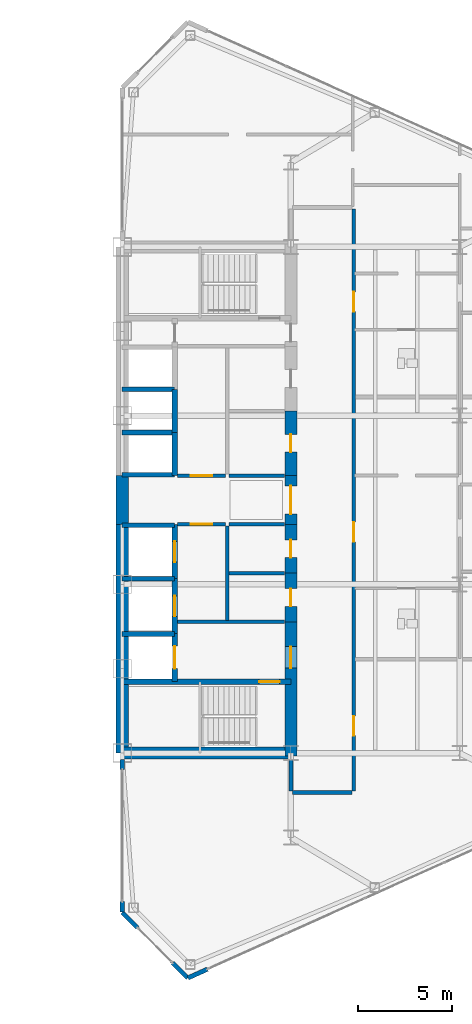
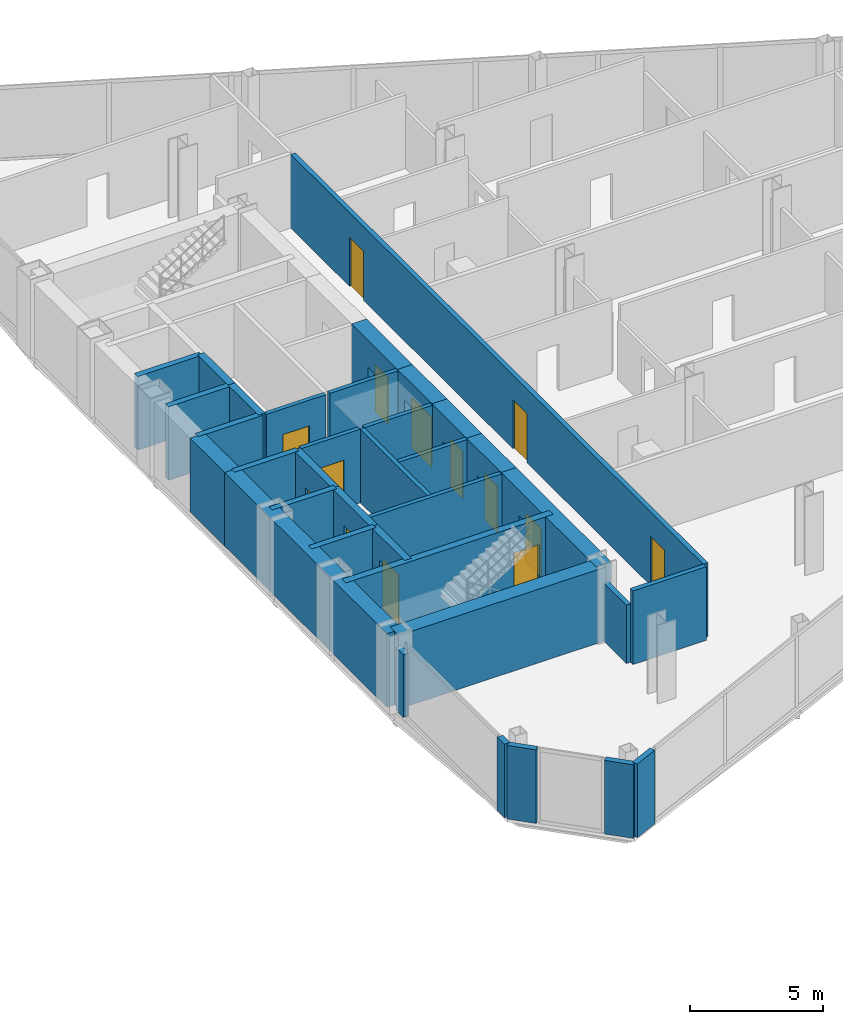
# One storey, part 22 of 27: 35 walls, 14 doors, 14 openings.
"""IFC4 building model written with IfcOpenShell, lengths in metres."""

from ifc_helpers import new_model, si_unit, direction, frame, frame_2d, origin, place, context, subcontext, project, spatial, rectangle, extrude, source, transform, mapped, material, layer, layer_set, type_object, type_shapes, element, fill, save


model = new_model("IFC4")

# Units and contexts
model_context = context("Model", 3, precision=1e-05, world=origin(), true_north=direction((0.0, 1.0)))
body_context = subcontext(model_context, "Body", "Model", "MODEL_VIEW")
ifc_project = project(units=[si_unit("LENGTHUNIT", "METRE"), si_unit("AREAUNIT", "SQUARE_METRE"), si_unit("VOLUMEUNIT", "CUBIC_METRE"), si_unit("PLANEANGLEUNIT", "RADIAN"), si_unit("MASSUNIT", "GRAM", prefix="KILO")], contexts=[model_context])

# Site, building, storey
site_placement = place(None, origin())
site = spatial("IfcSite", under=ifc_project, at=site_placement, CompositionType="ELEMENT")
building_placement = place(site_placement, origin())
building = spatial("IfcBuilding", under=site, at=building_placement, Name="Seokmaru Belvedere", CompositionType="ELEMENT")
storey_placement = place(building_placement, frame((0.0, 0.0, 72.89990234375)))
storey = spatial("IfcBuildingStorey", under=building, at=storey_placement, Name="L19", CompositionType="ELEMENT", Elevation=72.89990234375)

# Walls
ifc_material_1 = material(Name="Fire-Rated Gypsum Shaftwall")
ifc_layer_1 = layer(ifc_material_1, 0.179931640625)
ifc_layer_set_1 = layer_set([ifc_layer_1], Name="Fire-Rated Gypsum Shaftwall")
wall_type_1 = type_object("IfcWallType", Name="Core Service Fire Partition 180", PredefinedType="PARTITIONING", material=ifc_layer_set_1)
wall_1_placement = place(storey_placement, frame((30.449951171875, -6.5, 0.0), z_axis=(0.0, 0.0, 1.0), x_axis=(1.0, 0.0, 0.0)))
element("IfcWall", 1, at=wall_1_placement, inside=storey, type_object=wall_type_1, Name="L19 East Firefighting Lobby Partition", PredefinedType="PARTITIONING", context=body_context, shape_type="SweptSolid", body=[
    extrude(rectangle(XDim=5.699951171875, YDim=0.179931640625, at=frame_2d((2.85009765625, 0.0))), origin(), (0.0, 0.0, 1.0), 3.380126953125),
])
wall_2_placement = place(storey_placement, frame((33.10009765625, -6.419921875, 0.0), z_axis=(0.0, 0.0, 1.0), x_axis=(0.0, 1.0, 0.0)))
element("IfcWall", 2, at=wall_2_placement, inside=storey, type_object=wall_type_1, Name="L19 East South Core Service Back Wall", PredefinedType="PARTITIONING", context=body_context, shape_type="SweptSolid", body=[
    extrude(rectangle(XDim=5.0400390625, YDim=0.179931640625, at=frame_2d((2.52001953125, 0.0))), origin(), (0.0, 0.0, 1.0), 3.380126953125),
])

# Wall, opening, door
wall_3_placement = place(storey_placement, frame((30.449951171875, -1.300048828125, 0.0), z_axis=(0.0, 0.0, 1.0), x_axis=(1.0, 0.0, 0.0)))
wall_3 = element("IfcWall", 3, at=wall_3_placement, inside=storey, type_object=wall_type_1, Name="L19 East South Lift Lobby Foyer Wall", PredefinedType="PARTITIONING", context=body_context, shape_type="SweptSolid", body=[
    extrude(rectangle(XDim=2.570068359375, YDim=0.179931640625, at=frame_2d((1.28515625, 0.0))), origin(), (0.0, 0.0, 1.0), 3.380126953125),
])
opening_1_placement = place(wall_3_placement, frame((0.7099609375, 0.0, 0.0)))
opening_1 = element("IfcOpeningElement", 4, at=opening_1_placement, cuts=wall_3, Name="Opening D02", PredefinedType="OPENING", context=body_context, shape_type="SweptSolid", body=[
    extrude(rectangle(XDim=1.14990234375, YDim=2.199951171875, at=frame_2d((0.574951171875, 1.10009765625))), frame((0.0, 0.10009765625, 0.0), z_axis=(0.0, -1.0, 0.0), x_axis=(1.0, 0.0, 0.0)), (0.0, 0.0, 1.0), 0.199951171875),
])
ifc_material_2 = material(Name="Fire-Rated Steel Leaf", Category="steel")
door_type_1 = type_object("IfcDoorType", Name="Lobby and Vestibule Fire Door 1150x2200", OperationType="NOTDEFINED", PredefinedType="DOOR", material=ifc_material_2)
shared_shape_1 = source(origin(), body_context, "Body", "SweptSolid", [
    extrude(rectangle(XDim=1.14990234375, YDim=2.199951171875, at=frame_2d((0.574951171875, 1.10009765625))), frame((0.0, 0.02490234375, 0.0), z_axis=(0.0, -1.0, 0.0), x_axis=(1.0, 0.0, 0.0)), (0.0, 0.0, 1.0), 0.050048828125),
])
type_shapes(door_type_1, [shared_shape_1])
door_1_placement = place(opening_1_placement, origin())
door_1 = element("IfcDoor", 5, at=door_1_placement, inside=storey, type_object=door_type_1, Name="L19 East South Core Foyer Door", OperationType="SINGLE_SWING_RIGHT", OverallHeight=2.199951171875, OverallWidth=1.14990234375, PredefinedType="DOOR", context=body_context, shape_type="MappedRepresentation", body=[
    mapped(shared_shape_1, transform((0.0, 0.0, 0.0), scale=1.0)),
])
fill(opening_1, door_1)

wall_4_placement = place(storey_placement, frame((30.449951171875, 1.300048828125, 0.0), z_axis=(0.0, 0.0, 1.0), x_axis=(1.0, 0.0, 0.0)))
wall_4 = element("IfcWall", 6, at=wall_4_placement, inside=storey, type_object=wall_type_1, Name="L19 East North Lift Lobby Foyer Wall", PredefinedType="PARTITIONING", context=body_context, shape_type="SweptSolid", body=[
    extrude(rectangle(XDim=2.570068359375, YDim=0.179931640625, at=frame_2d((1.28515625, 0.0))), origin(), (0.0, 0.0, 1.0), 3.380126953125),
])
opening_2_placement = place(wall_4_placement, frame((0.7099609375, 0.0, 0.0)))
opening_2 = element("IfcOpeningElement", 7, at=opening_2_placement, cuts=wall_4, Name="Opening D02", PredefinedType="OPENING", context=body_context, shape_type="SweptSolid", body=[
    extrude(rectangle(XDim=1.14990234375, YDim=2.199951171875, at=frame_2d((0.574951171875, 1.10009765625))), frame((0.0, 0.10009765625, 0.0), z_axis=(0.0, -1.0, 0.0), x_axis=(1.0, 0.0, 0.0)), (0.0, 0.0, 1.0), 0.199951171875),
])
door_2_placement = place(opening_2_placement, origin())
door_2 = element("IfcDoor", 8, at=door_2_placement, inside=storey, type_object=door_type_1, Name="L19 East North Lift Lobby Door", OperationType="SINGLE_SWING_LEFT", OverallHeight=2.199951171875, OverallWidth=1.14990234375, PredefinedType="DOOR", context=body_context, shape_type="MappedRepresentation", body=[
    mapped(shared_shape_1, transform((0.0, 0.0, 0.0), scale=1.0)),
])
fill(opening_2, door_2)

# Walls
for number, where, z_axis, x_axis, name in (
    (9, (33.199951171875, -1.300048828125, 0.0), (0.0, 0.0, 1.0), (1.0, 0.0, 0.0), "L19 East Foyer Side Wall S"),
    (10, (33.199951171875, 1.300048828125, 0.0), (0.0, 0.0, 1.0), (1.0, 0.0, 0.0), "L19 East Foyer Side Wall N"),
    (11, (33.199951171875, -3.89990234375, 0.0), (0.0, 0.0, 1.0), (1.0, 0.0, 0.0), "L19 East Core Service Partition 1"),
):
    element("IfcWall", number, at=place(storey_placement, frame(where, z_axis=z_axis, x_axis=x_axis)), inside=storey, type_object=wall_type_1, Name=name, PredefinedType="PARTITIONING", context=body_context, shape_type="SweptSolid", body=[
        extrude(rectangle(XDim=2.949951171875, YDim=0.179931640625, at=frame_2d((1.47509765625, 0.0))), origin(), (0.0, 0.0, 1.0), 3.380126953125),
    ])
ifc_material_3 = material(Name="Concrete C50 (50 MPa)", Category="concrete")
ifc_layer_2 = layer(ifc_material_3, 0.25)
ifc_layer_set_2 = layer_set([ifc_layer_2], Name="Concrete C50 (50 MPa)")
wall_type_2 = type_object("IfcWallType", Name="Hoistway Transverse Concrete Divider Wall 250", PredefinedType="SHEAR", material=ifc_layer_set_2)
for number, where, z_axis, x_axis, name in (
    (12, (27.5, -7.14990234375, 0.0), (0.0, 0.0, 1.0), (1.0, 0.0, 0.0), "L19 East Hoistway Divider Core Wall 1"),
    (13, (27.5, -4.199951171875, 0.0), (0.0, 0.0, 1.0), (1.0, 0.0, 0.0), "L19 East Hoistway Divider Core Wall 2"),
    (14, (27.5, -1.35009765625, 0.0), (0.0, 0.0, 1.0), (1.0, 0.0, 0.0), "L19 East Hoistway Divider Core Wall 3"),
    (15, (27.5, 1.35009765625, 0.0), (0.0, 0.0, 1.0), (1.0, 0.0, 0.0), "L19 East Hoistway Divider Core Wall 4"),
    (16, (27.5, 3.60009765625, 0.0), (0.0, 0.0, 1.0), (1.0, 0.0, 0.0), "L19 East Hoistway Divider Core Wall 5"),
    (17, (27.5, 5.89990234375, 0.0), (0.0, 0.0, 1.0), (1.0, 0.0, 0.0), "L19 East Hoistway Divider Core Wall 6"),
):
    element("IfcWall", number, at=place(storey_placement, frame(where, z_axis=z_axis, x_axis=x_axis)), inside=storey, type_object=wall_type_2, Name=name, PredefinedType="SHEAR", context=body_context, shape_type="SweptSolid", body=[
        extrude(rectangle(XDim=2.800048828125, YDim=0.25, at=frame_2d((1.39990234375, 0.0))), origin(), (0.0, 0.0, 1.0), 3.380126953125),
    ])
ifc_layer_3 = layer(ifc_material_1, 0.199951171875)
ifc_layer_set_3 = layer_set([ifc_layer_3], Name="Fire-Rated Gypsum Shaftwall")
wall_type_3 = type_object("IfcWallType", Name="Inter-Tenancy Fire Compartment Partition 200", PredefinedType="PARTITIONING", material=ifc_layer_set_3)
wall_5_placement = place(storey_placement, frame((36.5849609375, -15.60009765625, 0.0), z_axis=(0.0, 0.0, 1.0), x_axis=(1.0, 0.0, 0.0)))
element("IfcWall", 18, at=wall_5_placement, inside=storey, type_object=wall_type_3, Name="L19 Interior Partition 003", PredefinedType="PARTITIONING", context=body_context, shape_type="SweptSolid", body=[
    extrude(rectangle(XDim=3.179931640625, YDim=0.199951171875, at=frame_2d((1.58984375, 0.0))), origin(), (0.0, 0.0, 1.0), 3.380126953125),
])
wall_6_placement = place(storey_placement, frame((36.5, -15.514892578125, 0.0), z_axis=(0.0, 0.0, 1.0), x_axis=(0.0, 1.0, 0.0)))
element("IfcWall", 19, at=wall_6_placement, inside=storey, type_object=wall_type_3, Name="L19 Interior Partition 043", PredefinedType="PARTITIONING", context=body_context, shape_type="SweptSolid", body=[
    extrude(rectangle(XDim=1.684814453125, YDim=0.199951171875, at=frame_2d((0.84228515625, 0.0))), origin(), (0.0, 0.0, 1.0), 2.68017578125),
])

# Wall, openings, doors
wall_7_placement = place(storey_placement, frame((39.85009765625, -15.514892578125, 0.0), z_axis=(0.0, 0.0, 1.0), x_axis=(0.0, 1.0, 0.0)))
wall_7 = element("IfcWall", 20, at=wall_7_placement, inside=storey, type_object=wall_type_3, Name="L19 Interior Partition 046", PredefinedType="PARTITIONING", context=body_context, shape_type="SweptSolid", body=[
    extrude(rectangle(XDim=31.02978515625, YDim=0.199951171875, at=frame_2d((15.514892578125, 0.0))), origin(), (0.0, 0.0, 1.0), 3.380126953125),
])
opening_3_placement = place(wall_7_placement, frame((2.93994140625, 0.0, 0.0)))
opening_3 = element("IfcOpeningElement", 21, at=opening_3_placement, cuts=wall_7, Name="Opening D03", PredefinedType="OPENING", context=body_context, shape_type="SweptSolid", body=[
    extrude(rectangle(XDim=1.050048828125, YDim=2.25, at=frame_2d((0.52490234375, 1.125))), frame((0.0, 0.10986328125, 0.0), z_axis=(0.0, -1.0, 0.0), x_axis=(1.0, 0.0, 0.0)), (0.0, 0.0, 1.0), 0.219970703125),
])
opening_4_placement = place(wall_7_placement, frame((13.280029296875, 0.0, 0.0)))
opening_4 = element("IfcOpeningElement", 22, at=opening_4_placement, cuts=wall_7, Name="Opening D03", PredefinedType="OPENING", context=body_context, shape_type="SweptSolid", body=[
    extrude(rectangle(XDim=1.050048828125, YDim=2.25, at=frame_2d((0.52490234375, 1.125))), frame((0.0, 0.10986328125, 0.0), z_axis=(0.0, -1.0, 0.0), x_axis=(1.0, 0.0, 0.0)), (0.0, 0.0, 1.0), 0.219970703125),
])
opening_5_placement = place(wall_7_placement, frame((25.5673828125, 0.0, 0.0)))
opening_5 = element("IfcOpeningElement", 23, at=opening_5_placement, cuts=wall_7, Name="Opening D03", PredefinedType="OPENING", context=body_context, shape_type="SweptSolid", body=[
    extrude(rectangle(XDim=1.050048828125, YDim=2.25, at=frame_2d((0.52490234375, 1.125))), frame((0.0, 0.10986328125, 0.0), z_axis=(0.0, -1.0, 0.0), x_axis=(1.0, 0.0, 0.0)), (0.0, 0.0, 1.0), 0.219970703125),
])
door_type_2 = type_object("IfcDoorType", Name="Apartment Entrance Fire Door 1050x2250", OperationType="NOTDEFINED", PredefinedType="DOOR", material=ifc_material_2)
shared_shape_2 = source(origin(), body_context, "Body", "SweptSolid", [
    extrude(rectangle(XDim=1.050048828125, YDim=2.25, at=frame_2d((0.52490234375, 1.125))), frame((0.0, 0.02490234375, 0.0), z_axis=(0.0, -1.0, 0.0), x_axis=(1.0, 0.0, 0.0)), (0.0, 0.0, 1.0), 0.050048828125),
])
type_shapes(door_type_2, [shared_shape_2])
door_3_placement = place(opening_3_placement, origin())
door_3 = element("IfcDoor", 24, at=door_3_placement, inside=storey, type_object=door_type_2, Name="L19 Interior Door 033", OperationType="SINGLE_SWING_LEFT", OverallHeight=2.25, OverallWidth=1.050048828125, PredefinedType="DOOR", context=body_context, shape_type="MappedRepresentation", body=[
    mapped(shared_shape_2, transform((0.0, 0.0, 0.0), scale=1.0)),
])
fill(opening_3, door_3)
door_4_placement = place(opening_4_placement, origin())
door_4 = element("IfcDoor", 25, at=door_4_placement, inside=storey, type_object=door_type_2, Name="L19 Interior Door 034", OperationType="SINGLE_SWING_RIGHT", OverallHeight=2.25, OverallWidth=1.050048828125, PredefinedType="DOOR", context=body_context, shape_type="MappedRepresentation", body=[
    mapped(shared_shape_2, transform((0.0, 0.0, 0.0), scale=1.0)),
])
fill(opening_4, door_4)
door_5_placement = place(opening_5_placement, origin())
door_5 = element("IfcDoor", 26, at=door_5_placement, inside=storey, type_object=door_type_2, Name="L19 Interior Door 046", OperationType="SINGLE_SWING_LEFT", OverallHeight=2.25, OverallWidth=1.050048828125, PredefinedType="DOOR", context=body_context, shape_type="MappedRepresentation", body=[
    mapped(shared_shape_2, transform((0.0, 0.0, 0.0), scale=1.0)),
])
fill(opening_5, door_5)

# Wall, opening, door
ifc_layer_4 = layer(ifc_material_3, 0.300048828125)
ifc_layer_set_4 = layer_set([ifc_layer_4], Name="Concrete C50 (50 MPa)")
wall_type_4 = type_object("IfcWallType", Name="Internal Core Stair and Hoistway Wall 300", PredefinedType="SHEAR", material=ifc_layer_set_4)
wall_8_placement = place(storey_placement, frame((27.5, -9.699951171875, 0.0), z_axis=(0.0, 0.0, 1.0), x_axis=(1.0, 0.0, 0.0)))
wall_8 = element("IfcWall", 27, at=wall_8_placement, inside=storey, type_object=wall_type_4, Name="L19 East Stair ST-1 Enclosure Wall", PredefinedType="SHEAR", context=body_context, shape_type="SweptSolid", body=[
    extrude(rectangle(XDim=9.0, YDim=0.300048828125, at=frame_2d((4.5, 0.0))), origin(), (0.0, 0.0, 1.0), 3.380126953125),
])
opening_6_placement = place(wall_8_placement, frame((7.300048828125, 0.0, 0.0)))
opening_6 = element("IfcOpeningElement", 28, at=opening_6_placement, cuts=wall_8, Name="Opening D01", PredefinedType="OPENING", context=body_context, shape_type="SweptSolid", body=[
    extrude(rectangle(XDim=1.10009765625, YDim=2.199951171875, at=frame_2d((0.550048828125, 1.10009765625))), frame((0.0, 0.16015625, 0.0), z_axis=(0.0, -1.0, 0.0), x_axis=(1.0, 0.0, 0.0)), (0.0, 0.0, 1.0), 0.320068359375),
])
door_type_3 = type_object("IfcDoorType", Name="Special Escape Stair Smokeproof Fire Door 1100x2200", OperationType="NOTDEFINED", PredefinedType="DOOR", material=ifc_material_2)
shared_shape_3 = source(origin(), body_context, "Body", "SweptSolid", [
    extrude(rectangle(XDim=1.10009765625, YDim=2.199951171875, at=frame_2d((0.550048828125, 1.10009765625))), frame((0.0, 0.02490234375, 0.0), z_axis=(0.0, -1.0, 0.0), x_axis=(1.0, 0.0, 0.0)), (0.0, 0.0, 1.0), 0.050048828125),
])
type_shapes(door_type_3, [shared_shape_3])
door_6_placement = place(opening_6_placement, frame((1.10009765625, 0.0, 0.0), z_axis=(0.0, 0.0, 1.0), x_axis=(-1.0, 0.0, 0.0)))
door_6 = element("IfcDoor", 29, at=door_6_placement, inside=storey, type_object=door_type_3, Name="L19 East Special Escape Stair ST-1 Door", OperationType="SINGLE_SWING_RIGHT", OverallHeight=2.199951171875, OverallWidth=1.10009765625, PredefinedType="DOOR", context=body_context, shape_type="MappedRepresentation", body=[
    mapped(shared_shape_3, transform((0.0, 0.0, 0.0), scale=1.0)),
])
fill(opening_6, door_6)

wall_9_placement = place(storey_placement, frame((30.300048828125, -9.679931640625, 0.0), z_axis=(0.0, 0.0, 1.0), x_axis=(0.0, 1.0, 0.0)))
wall_9 = element("IfcWall", 30, at=wall_9_placement, inside=storey, type_object=wall_type_4, Name="L19 East Firefighting Lift Shaft Front Wall", PredefinedType="SHEAR", context=body_context, shape_type="SweptSolid", body=[
    extrude(rectangle(XDim=2.559814453125, YDim=0.300048828125, at=frame_2d((1.27978515625, 0.0))), origin(), (0.0, 0.0, 1.0), 3.380126953125),
])
opening_7_placement = place(wall_9_placement, frame((0.679931640625, 0.0, 0.0)))
opening_7 = element("IfcOpeningElement", 31, at=opening_7_placement, cuts=wall_9, Name="Opening LD2", PredefinedType="OPENING", context=body_context, shape_type="SweptSolid", body=[
    extrude(rectangle(XDim=1.199951171875, YDim=2.25, at=frame_2d((0.60009765625, 1.125))), frame((0.0, 0.16015625, 0.0), z_axis=(0.0, -1.0, 0.0), x_axis=(1.0, 0.0, 0.0)), (0.0, 0.0, 1.0), 0.320068359375),
])
ifc_material_4 = material(Name="Stainless Steel 316", Category="steel")
door_type_4 = type_object("IfcDoorType", Name="Firefighting Lift Sliding Landing Door 1200x2250", OperationType="DOUBLE_DOOR_SLIDING", PredefinedType="DOOR", material=ifc_material_4)
shared_shape_4 = source(origin(), body_context, "Body", "SweptSolid", [
    extrude(rectangle(XDim=1.199951171875, YDim=2.25, at=frame_2d((0.60009765625, 1.125))), frame((0.0, 0.02490234375, 0.0), z_axis=(0.0, -1.0, 0.0), x_axis=(1.0, 0.0, 0.0)), (0.0, 0.0, 1.0), 0.050048828125),
])
type_shapes(door_type_4, [shared_shape_4])
door_7_placement = place(opening_7_placement, origin())
door_7 = element("IfcDoor", 32, at=door_7_placement, inside=storey, type_object=door_type_4, Name="L19 East Firefighting Lift Landing Door", OperationType="DOUBLE_DOOR_SLIDING", OverallHeight=2.25, OverallWidth=1.199951171875, PredefinedType="DOOR", context=body_context, shape_type="MappedRepresentation", body=[
    mapped(shared_shape_4, transform((0.0, 0.0, 0.0), scale=1.0)),
])
fill(opening_7, door_7)

wall_10_placement = place(storey_placement, frame((30.300048828125, -7.1201171875, 0.0), z_axis=(0.0, 0.0, 1.0), x_axis=(0.0, 1.0, 0.0)))
wall_10 = element("IfcWall", 33, at=wall_10_placement, inside=storey, type_object=wall_type_4, Name="L19 East Low-Rise Lift PL-1 Front Wall", PredefinedType="SHEAR", context=body_context, shape_type="SweptSolid", body=[
    extrude(rectangle(XDim=2.920166015625, YDim=0.300048828125, at=frame_2d((1.4599609375, 0.0))), origin(), (0.0, 0.0, 1.0), 3.380126953125),
])
opening_8_placement = place(wall_10_placement, frame((0.909912109375, 0.0, 0.0)))
opening_8 = element("IfcOpeningElement", 34, at=opening_8_placement, cuts=wall_10, Name="Opening LD1", PredefinedType="OPENING", context=body_context, shape_type="SweptSolid", body=[
    extrude(rectangle(XDim=1.10009765625, YDim=2.199951171875, at=frame_2d((0.550048828125, 1.10009765625))), frame((0.0, 0.16015625, 0.0), z_axis=(0.0, -1.0, 0.0), x_axis=(1.0, 0.0, 0.0)), (0.0, 0.0, 1.0), 0.320068359375),
])
door_type_5 = type_object("IfcDoorType", Name="Passenger Lift Sliding Landing Door 1100x2200", OperationType="DOUBLE_DOOR_SLIDING", PredefinedType="DOOR", material=ifc_material_4)
shared_shape_5 = source(origin(), body_context, "Body", "SweptSolid", [
    extrude(rectangle(XDim=1.10009765625, YDim=2.199951171875, at=frame_2d((0.550048828125, 1.10009765625))), frame((0.0, 0.02490234375, 0.0), z_axis=(0.0, -1.0, 0.0), x_axis=(1.0, 0.0, 0.0)), (0.0, 0.0, 1.0), 0.050048828125),
])
type_shapes(door_type_5, [shared_shape_5])
door_8_placement = place(opening_8_placement, origin())
door_8 = element("IfcDoor", 35, at=door_8_placement, inside=storey, type_object=door_type_5, Name="L19 East Low-Rise Lift PL-1 Landing Door", OperationType="DOUBLE_DOOR_SLIDING", OverallHeight=2.199951171875, OverallWidth=1.10009765625, PredefinedType="DOOR", context=body_context, shape_type="MappedRepresentation", body=[
    mapped(shared_shape_5, transform((0.0, 0.0, 0.0), scale=1.0)),
])
fill(opening_8, door_8)

wall_11_placement = place(storey_placement, frame((30.300048828125, -4.199951171875, 0.0), z_axis=(0.0, 0.0, 1.0), x_axis=(0.0, 1.0, 0.0)))
wall_11 = element("IfcWall", 36, at=wall_11_placement, inside=storey, type_object=wall_type_4, Name="L19 East Low-Rise Lift PL-2 Front Wall", PredefinedType="SHEAR", context=body_context, shape_type="SweptSolid", body=[
    extrude(rectangle(XDim=2.8798828125, YDim=0.300048828125, at=frame_2d((1.43994140625, 0.0))), origin(), (0.0, 0.0, 1.0), 3.380126953125),
])
opening_9_placement = place(wall_11_placement, frame((0.889892578125, 0.0, 0.0)))
opening_9 = element("IfcOpeningElement", 37, at=opening_9_placement, cuts=wall_11, Name="Opening LD1", PredefinedType="OPENING", context=body_context, shape_type="SweptSolid", body=[
    extrude(rectangle(XDim=1.10009765625, YDim=2.199951171875, at=frame_2d((0.550048828125, 1.10009765625))), frame((0.0, 0.16015625, 0.0), z_axis=(0.0, -1.0, 0.0), x_axis=(1.0, 0.0, 0.0)), (0.0, 0.0, 1.0), 0.320068359375),
])
door_9_placement = place(opening_9_placement, origin())
door_9 = element("IfcDoor", 38, at=door_9_placement, inside=storey, type_object=door_type_5, Name="L19 East Low-Rise Lift PL-2 Landing Door", OperationType="DOUBLE_DOOR_SLIDING", OverallHeight=2.199951171875, OverallWidth=1.10009765625, PredefinedType="DOOR", context=body_context, shape_type="MappedRepresentation", body=[
    mapped(shared_shape_5, transform((0.0, 0.0, 0.0), scale=1.0)),
])
fill(opening_9, door_9)

# Walls
wall_12_placement = place(storey_placement, frame((30.300048828125, 1.320068359375, 0.0), z_axis=(0.0, 0.0, 1.0), x_axis=(0.0, 1.0, 0.0)))
element("IfcWall", 39, at=wall_12_placement, inside=storey, type_object=wall_type_4, Name="L19 East North Hoistway Wall PH1", PredefinedType="SHEAR", context=body_context, shape_type="SweptSolid", body=[
    extrude(rectangle(XDim=2.280029296875, YDim=0.300048828125, at=frame_2d((1.14013671875, 0.0))), origin(), (0.0, 0.0, 1.0), 3.380126953125),
])
wall_13_placement = place(storey_placement, frame((30.300048828125, 3.60009765625, 0.0), z_axis=(0.0, 0.0, 1.0), x_axis=(0.0, 1.0, 0.0)))
element("IfcWall", 40, at=wall_13_placement, inside=storey, type_object=wall_type_4, Name="L19 East North Hoistway Wall PH2", PredefinedType="SHEAR", context=body_context, shape_type="SweptSolid", body=[
    extrude(rectangle(XDim=2.2998046875, YDim=0.300048828125, at=frame_2d((1.14990234375, 0.0))), origin(), (0.0, 0.0, 1.0), 3.380126953125),
])
ifc_material_5 = material(Name="Concrete C60 (60 MPa)", Category="concrete")
ifc_layer_5 = layer(ifc_material_5, 0.64990234375)
ifc_layer_set_5 = layer_set([ifc_layer_5], Name="Concrete C60 (60 MPa)")
wall_type_5 = type_object("IfcWallType", Name="Mid-Low Reinforced Concrete Core Wall 650", PredefinedType="SHEAR", material=ifc_layer_set_5)
wall_14_placement = place(storey_placement, frame((27.5, -13.5, 0.0), z_axis=(0.0, 0.0, 1.0), x_axis=(0.0, 1.0, 0.0)))
element("IfcWall", 41, at=wall_14_placement, inside=storey, type_object=wall_type_5, Name="L19 East Portal Spine Core Wall South", PredefinedType="SHEAR", context=body_context, shape_type="SweptSolid", body=[
    extrude(rectangle(XDim=12.199951171875, YDim=0.64990234375, at=frame_2d((6.10009765625, 0.0))), origin(), (0.0, 0.0, 1.0), 3.380126953125),
])
wall_15_placement = place(storey_placement, frame((27.5, -1.300048828125, 0.0), z_axis=(0.0, 0.0, 1.0), x_axis=(0.0, 1.0, 0.0)))
element("IfcWall", 42, at=wall_15_placement, inside=storey, type_object=wall_type_5, Name="L19 East Portal Spine Core Wall Center", PredefinedType="SHEAR", context=body_context, shape_type="SweptSolid", body=[
    extrude(rectangle(XDim=2.60009765625, YDim=0.64990234375, at=frame_2d((1.300048828125, 0.0))), origin(), (0.0, 0.0, 1.0), 3.380126953125),
])
wall_16_placement = place(storey_placement, frame((27.5, -13.5, 0.0), z_axis=(0.0, 0.0, 1.0), x_axis=(1.0, 0.0, 0.0)))
element("IfcWall", 43, at=wall_16_placement, inside=storey, type_object=wall_type_5, Name="L19 East South Core Wall", PredefinedType="SHEAR", context=body_context, shape_type="SweptSolid", body=[
    extrude(rectangle(XDim=9.0, YDim=0.64990234375, at=frame_2d((4.5, 0.0))), origin(), (0.0, 0.0, 1.0), 3.380126953125),
])

# Wall, opening, door
wall_17_placement = place(storey_placement, frame((36.5, -13.64990234375, 0.0), z_axis=(0.0, 0.0, 1.0), x_axis=(0.0, 1.0, 0.0)))
wall_17 = element("IfcWall", 44, at=wall_17_placement, inside=storey, type_object=wall_type_5, Name="L19 East West Core Wall FF", PredefinedType="SHEAR", context=body_context, shape_type="SweptSolid", body=[
    extrude(rectangle(XDim=7.14990234375, YDim=0.64990234375, at=frame_2d((3.574951171875, 0.0))), origin(), (0.0, 0.0, 1.0), 3.380126953125),
])
opening_10_placement = place(wall_17_placement, frame((4.675048828125, 0.0, 0.0)))
opening_10 = element("IfcOpeningElement", 45, at=opening_10_placement, cuts=wall_17, Name="Opening D02", PredefinedType="OPENING", context=body_context, shape_type="SweptSolid", body=[
    extrude(rectangle(XDim=1.14990234375, YDim=2.199951171875, at=frame_2d((0.574951171875, 1.10009765625))), frame((0.0, 0.3349609375, 0.0), z_axis=(0.0, -1.0, 0.0), x_axis=(1.0, 0.0, 0.0)), (0.0, 0.0, 1.0), 0.669921875),
])
door_10_placement = place(opening_10_placement, origin())
door_10 = element("IfcDoor", 46, at=door_10_placement, inside=storey, type_object=door_type_1, Name="L19 East Firefighting Lobby Door", OperationType="SINGLE_SWING_RIGHT", OverallHeight=2.199951171875, OverallWidth=1.14990234375, PredefinedType="DOOR", context=body_context, shape_type="MappedRepresentation", body=[
    mapped(shared_shape_1, transform((0.0, 0.0, 0.0), scale=1.0)),
])
fill(opening_10, door_10)

wall_18_placement = place(storey_placement, frame((36.5, -1.300048828125, 0.0), z_axis=(0.0, 0.0, 1.0), x_axis=(0.0, 1.0, 0.0)))
wall_18 = element("IfcWall", 47, at=wall_18_placement, inside=storey, type_object=wall_type_5, Name="L19 East West Core Wall FOY", PredefinedType="SHEAR", context=body_context, shape_type="SweptSolid", body=[
    extrude(rectangle(XDim=2.60009765625, YDim=0.64990234375, at=frame_2d((1.300048828125, 0.0))), origin(), (0.0, 0.0, 1.0), 3.380126953125),
])
opening_11_placement = place(wall_18_placement, frame((0.550048828125, 0.0, 0.0)))
opening_11 = element("IfcOpeningElement", 48, at=opening_11_placement, cuts=wall_18, Name="Opening D08", PredefinedType="OPENING", context=body_context, shape_type="SweptSolid", body=[
    extrude(rectangle(XDim=1.5, YDim=2.300048828125, at=frame_2d((0.75, 1.14990234375))), frame((0.0, 0.3349609375, 0.0), z_axis=(0.0, -1.0, 0.0), x_axis=(1.0, 0.0, 0.0)), (0.0, 0.0, 1.0), 0.669921875),
])
door_type_6 = type_object("IfcDoorType", Name="Cross-Corridor Compartment Double Fire Door 1500x2300", OperationType="DOUBLE_SWING_LEFT", PredefinedType="DOOR", material=ifc_material_2)
shared_shape_6 = source(origin(), body_context, "Body", "SweptSolid", [
    extrude(rectangle(XDim=1.5, YDim=2.300048828125, at=frame_2d((0.75, 1.14990234375))), frame((0.0, 0.02490234375, 0.0), z_axis=(0.0, -1.0, 0.0), x_axis=(1.0, 0.0, 0.0)), (0.0, 0.0, 1.0), 0.050048828125),
])
type_shapes(door_type_6, [shared_shape_6])
door_11_placement = place(opening_11_placement, origin())
door_11 = element("IfcDoor", 49, at=door_11_placement, inside=storey, type_object=door_type_6, Name="L19 East Core Foyer Compartment Door", OperationType="DOUBLE_SWING_LEFT", OverallHeight=2.300048828125, OverallWidth=1.5, PredefinedType="DOOR", context=body_context, shape_type="MappedRepresentation", body=[
    mapped(shared_shape_6, transform((0.0, 0.0, 0.0), scale=1.0)),
])
fill(opening_11, door_11)

wall_19_placement = place(storey_placement, frame((36.5, -6.5, 0.0), z_axis=(0.0, 0.0, 1.0), x_axis=(0.0, 1.0, 0.0)))
wall_19 = element("IfcWall", 50, at=wall_19_placement, inside=storey, type_object=wall_type_5, Name="L19 East West Core Wall CS1", PredefinedType="SHEAR", context=body_context, shape_type="SweptSolid", body=[
    extrude(rectangle(XDim=2.60009765625, YDim=0.64990234375, at=frame_2d((1.300048828125, 0.0))), origin(), (0.0, 0.0, 1.0), 3.380126953125),
])
opening_12_placement = place(wall_19_placement, frame((0.824951171875, 0.0, 0.0)))
opening_12 = element("IfcOpeningElement", 51, at=opening_12_placement, cuts=wall_19, Name="Opening D04", PredefinedType="OPENING", context=body_context, shape_type="SweptSolid", body=[
    extrude(rectangle(XDim=0.949951171875, YDim=2.14990234375, at=frame_2d((0.47509765625, 1.074951171875))), frame((0.0, 0.3349609375, 0.0), z_axis=(0.0, -1.0, 0.0), x_axis=(1.0, 0.0, 0.0)), (0.0, 0.0, 1.0), 0.669921875),
])
door_type_7 = type_object("IfcDoorType", Name="Core Service Room Fire Door 950x2150", OperationType="NOTDEFINED", PredefinedType="DOOR", material=ifc_material_2)
shared_shape_7 = source(origin(), body_context, "Body", "SweptSolid", [
    extrude(rectangle(XDim=0.949951171875, YDim=2.14990234375, at=frame_2d((0.47509765625, 1.074951171875))), frame((0.0, 0.02490234375, 0.0), z_axis=(0.0, -1.0, 0.0), x_axis=(1.0, 0.0, 0.0)), (0.0, 0.0, 1.0), 0.050048828125),
])
type_shapes(door_type_7, [shared_shape_7])
door_12_placement = place(opening_12_placement, origin())
door_12 = element("IfcDoor", 52, at=door_12_placement, inside=storey, type_object=door_type_7, Name="L19 East Core Service Room Door 1", OperationType="SINGLE_SWING_RIGHT", OverallHeight=2.14990234375, OverallWidth=0.949951171875, PredefinedType="DOOR", context=body_context, shape_type="MappedRepresentation", body=[
    mapped(shared_shape_7, transform((0.0, 0.0, 0.0), scale=1.0)),
])
fill(opening_12, door_12)

wall_20_placement = place(storey_placement, frame((36.5, -3.89990234375, 0.0), z_axis=(0.0, 0.0, 1.0), x_axis=(0.0, 1.0, 0.0)))
wall_20 = element("IfcWall", 53, at=wall_20_placement, inside=storey, type_object=wall_type_5, Name="L19 East West Core Wall CS2", PredefinedType="SHEAR", context=body_context, shape_type="SweptSolid", body=[
    extrude(rectangle(XDim=2.599853515625, YDim=0.64990234375, at=frame_2d((1.2998046875, 0.0))), origin(), (0.0, 0.0, 1.0), 3.380126953125),
])
opening_13_placement = place(wall_20_placement, frame((0.824951171875, 0.0, 0.0)))
opening_13 = element("IfcOpeningElement", 54, at=opening_13_placement, cuts=wall_20, Name="Opening D04", PredefinedType="OPENING", context=body_context, shape_type="SweptSolid", body=[
    extrude(rectangle(XDim=0.949951171875, YDim=2.14990234375, at=frame_2d((0.47509765625, 1.074951171875))), frame((0.0, 0.3349609375, 0.0), z_axis=(0.0, -1.0, 0.0), x_axis=(1.0, 0.0, 0.0)), (0.0, 0.0, 1.0), 0.669921875),
])
door_13_placement = place(opening_13_placement, origin())
door_13 = element("IfcDoor", 55, at=door_13_placement, inside=storey, type_object=door_type_7, Name="L19 East Core Service Room Door 2", OperationType="SINGLE_SWING_LEFT", OverallHeight=2.14990234375, OverallWidth=0.949951171875, PredefinedType="DOOR", context=body_context, shape_type="MappedRepresentation", body=[
    mapped(shared_shape_7, transform((0.0, 0.0, 0.0), scale=1.0)),
])
fill(opening_13, door_13)

wall_21_placement = place(storey_placement, frame((36.5, 1.300048828125, 0.0), z_axis=(0.0, 0.0, 1.0), x_axis=(0.0, 1.0, 0.0)))
wall_21 = element("IfcWall", 56, at=wall_21_placement, inside=storey, type_object=wall_type_5, Name="L19 East West Core Wall CS3", PredefinedType="SHEAR", context=body_context, shape_type="SweptSolid", body=[
    extrude(rectangle(XDim=3.449951171875, YDim=0.64990234375, at=frame_2d((1.72509765625, 0.0))), origin(), (0.0, 0.0, 1.0), 3.380126953125),
])
opening_14_placement = place(wall_21_placement, frame((1.25, 0.0, 0.0)))
opening_14 = element("IfcOpeningElement", 57, at=opening_14_placement, cuts=wall_21, Name="Opening D04", PredefinedType="OPENING", context=body_context, shape_type="SweptSolid", body=[
    extrude(rectangle(XDim=0.949951171875, YDim=2.14990234375, at=frame_2d((0.47509765625, 1.074951171875))), frame((0.0, 0.3349609375, 0.0), z_axis=(0.0, -1.0, 0.0), x_axis=(1.0, 0.0, 0.0)), (0.0, 0.0, 1.0), 0.669921875),
])
door_14_placement = place(opening_14_placement, origin())
door_14 = element("IfcDoor", 58, at=door_14_placement, inside=storey, type_object=door_type_7, Name="L19 East Core Service Room Door 3", OperationType="SINGLE_SWING_RIGHT", OverallHeight=2.14990234375, OverallWidth=0.949951171875, PredefinedType="DOOR", context=body_context, shape_type="MappedRepresentation", body=[
    mapped(shared_shape_7, transform((0.0, 0.0, 0.0), scale=1.0)),
])
fill(opening_14, door_14)

# Walls
ifc_material_6 = material(Name="Anodised Bronze Aluminium", Category="aluminium")
ifc_layer_6 = layer(ifc_material_6, 0.239990234375)
ifc_layer_set_6 = layer_set([ifc_layer_6], Name="Anodised Bronze Aluminium")
wall_type_6 = type_object("IfcWallType", Name="Tower Corner Spandrel Closure Wall 240", PredefinedType="SOLIDWALL", material=ifc_layer_set_6)
wall_22_placement = place(storey_placement, frame((31.009033203125, -25.495849609375, 0.0), z_axis=(0.0, 0.0, 1.0), x_axis=(0.911929519623, 0.410346866979, 0.0)))
element("IfcWall", 59, at=wall_22_placement, inside=storey, type_object=wall_type_6, Name="L19 E Corner Closure Pier 1A", PredefinedType="SOLIDWALL", context=body_context, shape_type="SweptSolid", body=[
    extrude(rectangle(XDim=1.139892578125, YDim=0.239990234375, at=frame_2d((0.56982421875, 0.0))), origin(), (0.0, 0.0, 1.0), 3.380126953125),
])
wall_23_placement = place(storey_placement, frame((27.5, -21.97998046875, 0.0), z_axis=(0.0, 0.0, 1.0), x_axis=(0.0, 1.0, 0.0)))
element("IfcWall", 60, at=wall_23_placement, inside=storey, type_object=wall_type_6, Name="L19 E Spine Closure Pier 1A", PredefinedType="SOLIDWALL", context=body_context, shape_type="SweptSolid", body=[
    extrude(rectangle(XDim=0.550048828125, YDim=0.239990234375, at=frame_2d((0.27490234375, 0.0))), origin(), (0.0, 0.0, 1.0), 3.380126953125),
])
wall_24_placement = place(storey_placement, frame((27.5, -14.3798828125, 0.0), z_axis=(0.0, 0.0, 1.0), x_axis=(0.0, 1.0, 0.0)))
element("IfcWall", 61, at=wall_24_placement, inside=storey, type_object=wall_type_6, Name="L19 E Spine Closure Pier 1B", PredefinedType="SOLIDWALL", context=body_context, shape_type="SweptSolid", body=[
    extrude(rectangle(XDim=0.5498046875, YDim=0.239990234375, at=frame_2d((0.27490234375, 0.0))), origin(), (0.0, 0.0, 1.0), 2.880126953125),
])
for number, where, z_axis, x_axis, name in (
    (62, (27.507080078125, -22.007080078125, 0.0), (0.0, 0.0, 1.0), (0.707106781187, -0.707106781187, 0.0), "L19 E Corner Closure Pier 6A"),
    (63, (30.186767578125, -24.686767578125, 0.0), (0.0, 0.0, 1.0), (0.707106781187, -0.707106781187, 0.0), "L19 E Corner Closure Pier 6B"),
):
    element("IfcWall", number, at=place(storey_placement, frame(where, z_axis=z_axis, x_axis=x_axis)), inside=storey, type_object=wall_type_6, Name=name, PredefinedType="SOLIDWALL", context=body_context, shape_type="SweptSolid", body=[
        extrude(rectangle(XDim=1.14013671875, YDim=0.239990234375, at=frame_2d((0.570068359375, 0.0))), origin(), (0.0, 0.0, 1.0), 3.380126953125),
    ])

save(model, "model.ifc")
